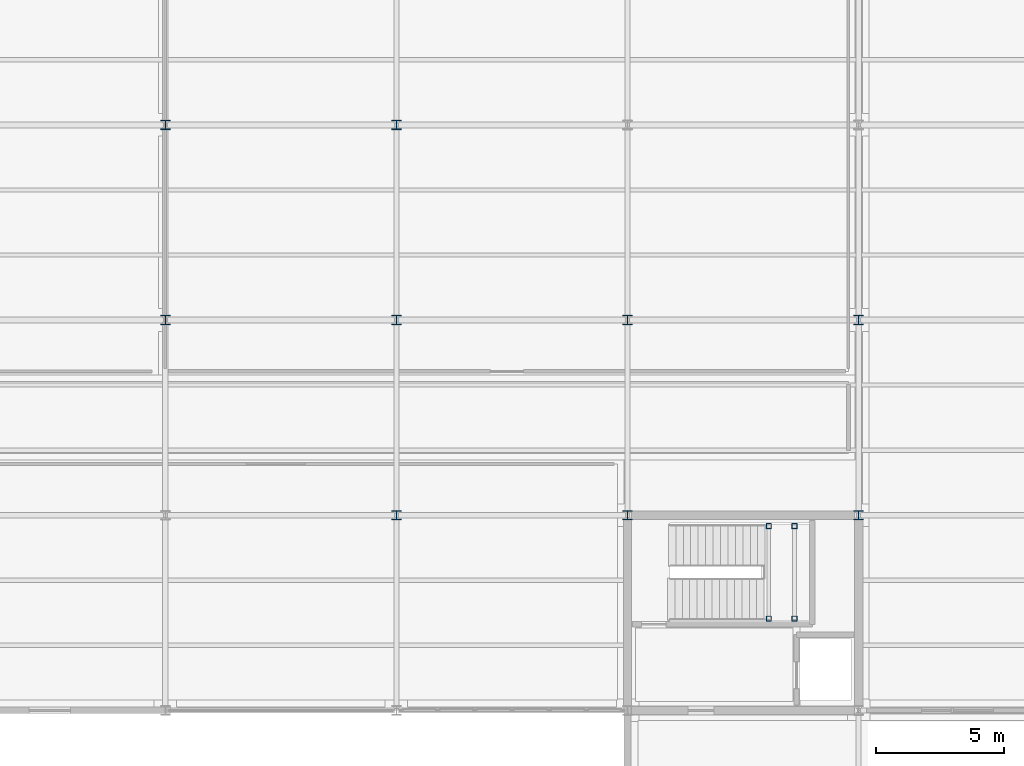
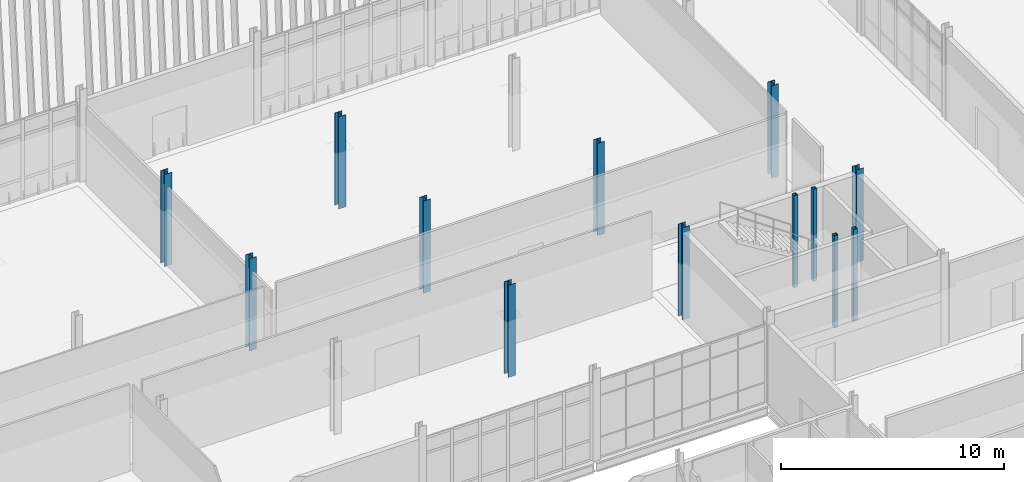
# One storey, part 8 of 161: 13 columns.
"""IFC4 building model written with IfcOpenShell, lengths in metres."""

from ifc_helpers import new_model, si_unit, direction, frame, origin, origin_2d, place, context, subcontext, project, spatial, hollow_rectangle, i_section, extrude, material, material_profile, profile_set, type_object, element, save


model = new_model("IFC4")

# Units and contexts
model_context = context("Model", 3, precision=1e-05, world=origin(), true_north=direction((0.0, 1.0)))
body_context = subcontext(model_context, "Body", "Model", "MODEL_VIEW")
ifc_project = project(units=[si_unit("LENGTHUNIT", "METRE"), si_unit("AREAUNIT", "SQUARE_METRE"), si_unit("VOLUMEUNIT", "CUBIC_METRE"), si_unit("PLANEANGLEUNIT", "RADIAN"), si_unit("MASSUNIT", "GRAM", prefix="KILO")], contexts=[model_context])

# Site, building, storey
site_placement = place(None, origin())
site = spatial("IfcSite", under=ifc_project, at=site_placement, CompositionType="ELEMENT")
building_placement = place(site_placement, origin())
building = spatial("IfcBuilding", under=site, at=building_placement, Name="Caisbarro Railhouse Central Library", CompositionType="ELEMENT")
storey_placement = place(building_placement, origin())
storey = spatial("IfcBuildingStorey", under=building, at=storey_placement, Name="L00", CompositionType="ELEMENT", Elevation=0.0)

# Columns
ifc_material = material(Name="Steel ASTM A572 Grade 50", Category="steel")
ifc_material_profile_1 = material_profile(ifc_material, i_section(OverallWidth=0.37109375, OverallDepth=0.364013671875, WebThickness=0.01318359375, FlangeThickness=0.021728515625, FilletRadius=0.01806640625, at=origin_2d()), Name="W360X162.0")
ifc_profile_set_1 = profile_set([ifc_material_profile_1], Name="Steel ASTM A572 Grade 50")
column_type_1 = type_object("IfcColumnType", Name="COL-C02", PredefinedType="COLUMN", material=ifc_profile_set_1)
for number, where, z_axis, x_axis, name in (
    (1, (36.0, 45.60009765625, 0.0), (0.0, 0.0, 1.0), (1.0, 0.0, 0.0), "C02 column L00 (36.0,45.6)"),
    (2, (36.0, 53.199951171875, 0.0), (0.0, 0.0, 1.0), (1.0, 0.0, 0.0), "C02 column L00 (36.0,53.2)"),
    (3, (45.0, 38.0, 0.0), (0.0, 0.0, 1.0), (1.0, 0.0, 0.0), "C02 column L00 (45.0,38.0)"),
    (4, (45.0, 45.60009765625, 0.0), (0.0, 0.0, 1.0), (1.0, 0.0, 0.0), "C02 column L00 (45.0,45.6)"),
    (5, (45.0, 53.199951171875, 0.0), (0.0, 0.0, 1.0), (1.0, 0.0, 0.0), "C02 column L00 (45.0,53.2)"),
    (6, (54.0, 38.0, 0.0), (0.0, 0.0, 1.0), (1.0, 0.0, 0.0), "C02 column L00 (54.0,38.0)"),
    (7, (54.0, 45.60009765625, 0.0), (0.0, 0.0, 1.0), (1.0, 0.0, 0.0), "C02 column L00 (54.0,45.6)"),
    (8, (63.0, 38.0, 0.0), (0.0, 0.0, 1.0), (1.0, 0.0, 0.0), "C02 column L00 (63.0,38.0)"),
    (9, (63.0, 45.60009765625, 0.0), (0.0, 0.0, 1.0), (1.0, 0.0, 0.0), "C02 column L00 (63.0,45.6)"),
):
    element("IfcColumn", number, at=place(storey_placement, frame(where, z_axis=z_axis, x_axis=x_axis)), inside=storey, type_object=column_type_1, Name=name, PredefinedType="COLUMN", context=body_context, shape_type="SweptSolid", body=[
        extrude(i_section(OverallWidth=0.37109375, OverallDepth=0.364013671875, WebThickness=0.01318359375, FlangeThickness=0.021728515625, FilletRadius=0.01806640625, at=origin_2d()), origin(), (0.0, 0.0, 1.0), 5.0400390625),
    ])
ifc_material_profile_2 = material_profile(ifc_material, hollow_rectangle(XDim=0.199951171875, YDim=0.199951171875, WallThickness=0.012451171875, at=origin_2d()), Name="HSS200X200X12.5")
ifc_profile_set_2 = profile_set([ifc_material_profile_2], Name="Steel ASTM A572 Grade 50")
column_type_2 = type_object("IfcColumnType", Name="COL-C10", PredefinedType="COLUMN", material=ifc_profile_set_2)
for number, where, z_axis, x_axis, name in (
    (10, (59.5, 33.969970703125, 0.0), (0.0, 0.0, 1.0), (1.0, 0.0, 0.0), "C10 Stair Landing Post K4 L00.1"),
    (11, (59.5, 37.580078125, 0.0), (0.0, 0.0, 1.0), (1.0, 0.0, 0.0), "C10 Stair Landing Post K4 L00.2"),
    (12, (60.5, 33.969970703125, 0.0), (0.0, 0.0, 1.0), (1.0, 0.0, 0.0), "C10 Stair Landing Post K4 L00.3"),
    (13, (60.5, 37.580078125, 0.0), (0.0, 0.0, 1.0), (1.0, 0.0, 0.0), "C10 Stair Landing Post K4 L00.4"),
):
    element("IfcColumn", number, at=place(storey_placement, frame(where, z_axis=z_axis, x_axis=x_axis)), inside=storey, type_object=column_type_2, Name=name, PredefinedType="COLUMN", context=body_context, shape_type="SweptSolid", body=[
        extrude(hollow_rectangle(XDim=0.199951171875, YDim=0.199951171875, WallThickness=0.012451171875, at=origin_2d()), origin(), (0.0, 0.0, 1.0), 5.0400390625),
    ])

save(model, "model.ifc")
